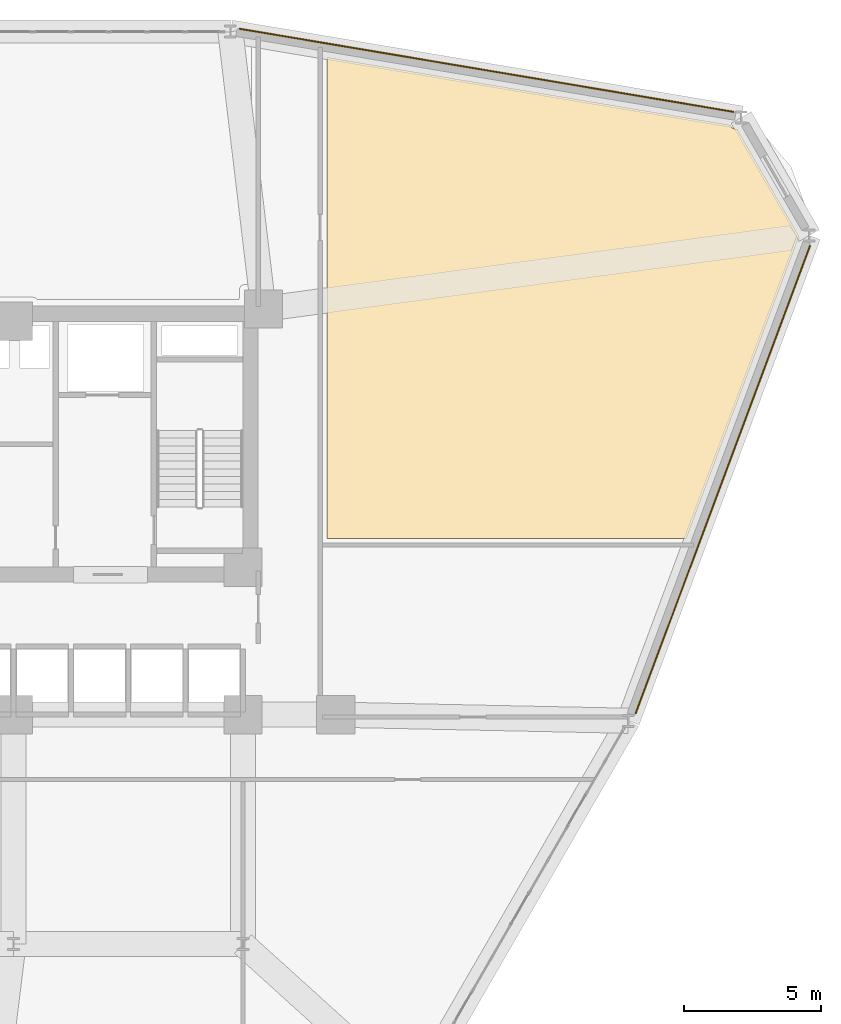
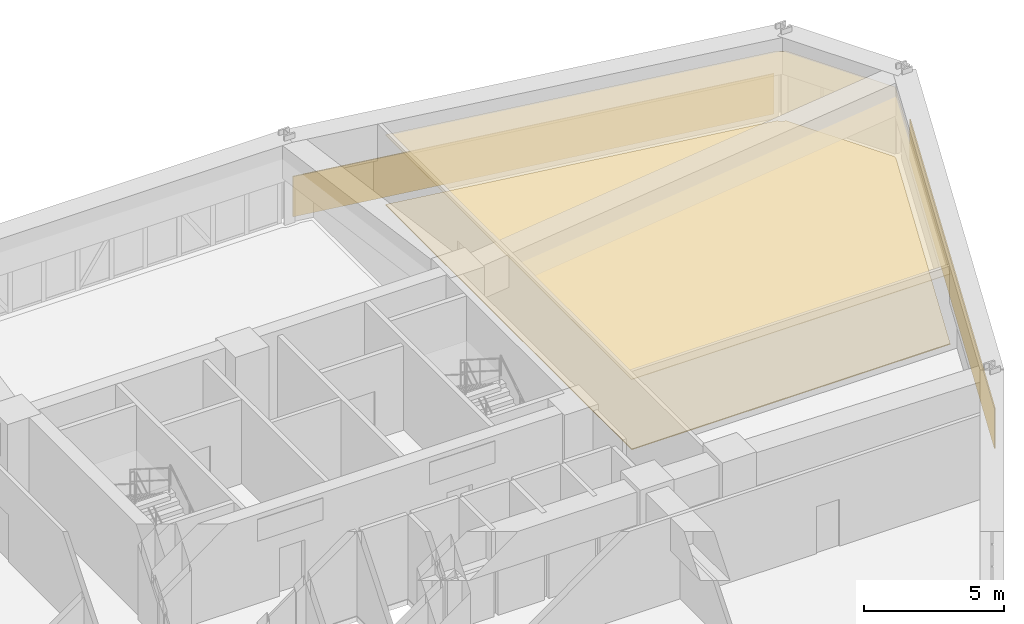
# One storey, part 20 of 20: 4 coverings.
"""IFC4 building model written with IfcOpenShell, lengths in metres."""

from ifc_helpers import new_model, si_unit, derived_unit, direction, frame, origin, place, context, subcontext, project, spatial, polyline, outline, extrude, material, layer, layer_set, type_object, element, save


model = new_model("IFC4")

# Units and contexts
model_context = context("Model", 3, precision=1e-05, world=origin(), true_north=direction((0.0, 1.0)))
body_context = subcontext(model_context, "Body", "Model", "MODEL_VIEW")
ifc_project = project(units=[si_unit("LENGTHUNIT", "METRE"), si_unit("AREAUNIT", "SQUARE_METRE"), si_unit("VOLUMEUNIT", "CUBIC_METRE"), si_unit("PLANEANGLEUNIT", "RADIAN"), si_unit("MASSUNIT", "GRAM", prefix="KILO"), derived_unit("THERMALTRANSMITTANCEUNIT", [(si_unit("POWERUNIT", "WATT"), 1), (si_unit("LENGTHUNIT", "METRE"), -2), (si_unit("THERMODYNAMICTEMPERATUREUNIT", "KELVIN"), -1)])], contexts=[model_context])

# Site, building, storey
site_placement = place(None, origin())
site = spatial("IfcSite", under=ifc_project, at=site_placement, CompositionType="ELEMENT")
building_placement = place(site_placement, origin())
building = spatial("IfcBuilding", under=site, at=building_placement, Name="Korsvarv Bourse and Concert Hall", CompositionType="ELEMENT")
storey_placement = place(building_placement, frame((0.0, 0.0, 35.699951171875)))
storey = spatial("IfcBuildingStorey", under=building, at=storey_placement, Name="L08", CompositionType="ELEMENT", Elevation=35.699951171875)

# Coverings
ifc_material_1 = material(Name="Perforated mineral-wool and birch acoustic baffle ceiling", Category="wood")
ifc_layer_1 = layer(ifc_material_1, 0.02490234375)
ifc_layer_set_1 = layer_set([ifc_layer_1], Name="Perforated mineral-wool and birch acoustic baffle ceiling")
covering_type_1 = type_object("IfcCoveringType", Name="COV-CEIL-1", PredefinedType="CEILING", material=ifc_layer_set_1)
covering_1_placement = place(storey_placement, frame((0.0, 0.0, 3.06005859375)))
element("IfcCovering", 1, at=covering_1_placement, inside=storey, type_object=covering_type_1, Name="L08 acoustic baffle ceiling 1", PredefinedType="CEILING", context=body_context, shape_type="SweptSolid", body=[
    extrude(outline(polyline([(47.47998046875, 56.461669921875), (62.239990234375, 53.9794921875), (62.24951171875, 53.94970703125), (62.26708984375, 53.91796875), (62.290771484375, 53.890380859375), (62.3193359375, 53.867919921875), (62.351806640625, 53.851806640625), (62.386962890625, 53.842529296875), (62.48779296875, 53.836181640625), (64.727783203125, 49.9560546875), (64.727783203125, 49.834716796875), (60.630859375, 38.85009765625), (47.47998046875, 38.85009765625), (47.47998046875, 56.461669921875)])), origin(), (0.0, 0.0, 1.0), 0.02490234375),
])
ifc_material_2 = material(Name="Warm iron-oxide extruded terracotta rainscreen tile", Category="ceramic")
ifc_layer_2 = layer(ifc_material_2, 0.044921875)
ifc_layer_set_2 = layer_set([ifc_layer_2], Name="Warm iron-oxide extruded terracotta rainscreen tile")
covering_type_2 = type_object("IfcCoveringType", Name="COV-CLD-TC", PredefinedType="CLADDING", material=ifc_layer_set_2)
covering_2_placement = place(storey_placement, origin())
element("IfcCovering", 2, at=covering_2_placement, inside=storey, type_object=covering_type_2, Name="L08 fluted terracotta cladding panel EW-L08-B02", PredefinedType="CLADDING", context=body_context, shape_type="SweptSolid", body=[
    extrude(outline(polyline([(62.363525390625, 54.440185546875), (44.259521484375, 57.48486328125), (44.266845703125, 57.529296875), (62.37109375, 54.484619140625), (62.363525390625, 54.440185546875)])), origin(), (0.0, 0.0, 1.0), 1.760009765625),
])
covering_3_placement = place(storey_placement, origin())
element("IfcCovering", 3, at=covering_3_placement, inside=storey, type_object=covering_type_2, Name="L08 fluted terracotta cladding panel EW-L08-B12", PredefinedType="CLADDING", context=body_context, shape_type="SweptSolid", body=[
    extrude(outline(polyline([(58.74951171875, 32.4462890625), (65.13818359375, 49.57568359375), (65.180419921875, 49.559814453125), (58.791748046875, 32.430419921875), (58.74951171875, 32.4462890625)])), origin(), (0.0, 0.0, 1.0), 1.760009765625),
])
ifc_material_3 = material(Name="Calcium-sulphate raised access trading floor with Nordic oak top", Category="wood")
ifc_layer_3 = layer(ifc_material_3, 0.0400390625)
ifc_layer_set_3 = layer_set([ifc_layer_3], Name="Calcium-sulphate raised access trading floor with Nordic oak top")
covering_type_3 = type_object("IfcCoveringType", Name="COV-FLOR-1", PredefinedType="FLOORING", material=ifc_layer_set_3)
covering_4_placement = place(storey_placement, origin())
element("IfcCovering", 4, at=covering_4_placement, inside=storey, type_object=covering_type_3, Name="L08 raised access oak floor finish 1", PredefinedType="FLOORING", context=body_context, shape_type="SweptSolid", body=[
    extrude(outline(polyline([(47.47998046875, 56.461669921875), (62.239990234375, 53.9794921875), (62.24951171875, 53.94970703125), (62.26708984375, 53.91796875), (62.290771484375, 53.890380859375), (62.3193359375, 53.867919921875), (62.351806640625, 53.851806640625), (62.386962890625, 53.842529296875), (62.48779296875, 53.836181640625), (64.727783203125, 49.9560546875), (64.727783203125, 49.834716796875), (60.630859375, 38.85009765625), (47.47998046875, 38.85009765625), (47.47998046875, 56.461669921875)])), origin(), (0.0, 0.0, 1.0), 0.0400390625),
])

save(model, "model.ifc")
